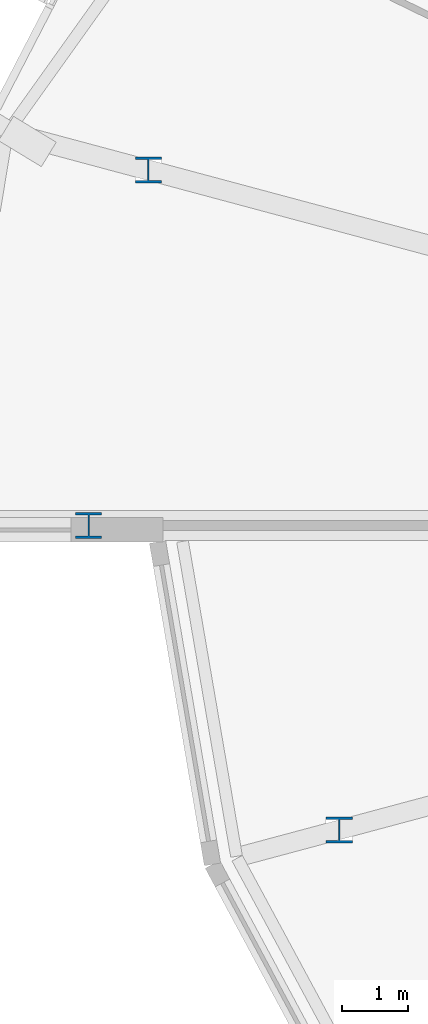
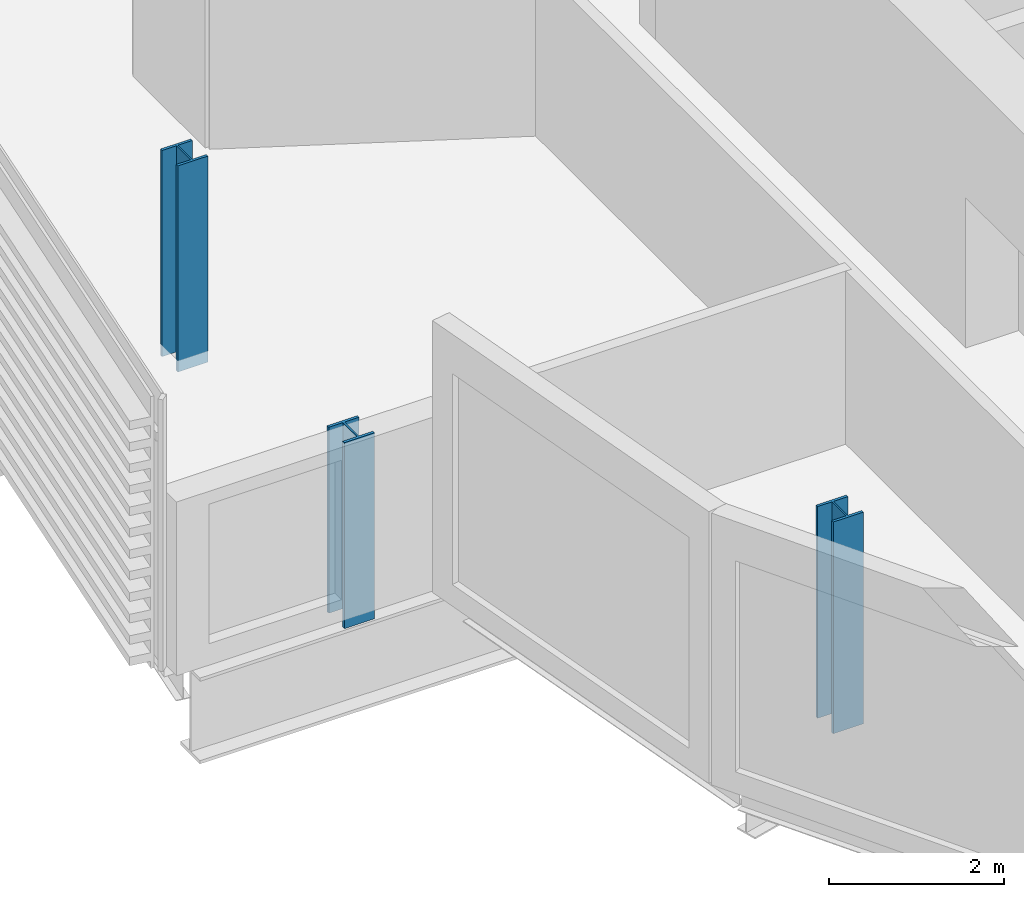
# One storey, part 1 of 39: 3 columns.
"""IFC4 building model written with IfcOpenShell, lengths in metres."""

from ifc_helpers import new_model, si_unit, direction, frame, origin, origin_2d, place, context, subcontext, project, spatial, i_section, extrude, material, material_profile, profile_set, type_object, element, save


model = new_model("IFC4")

# Units and contexts
model_context = context("Model", 3, precision=1e-05, world=origin(), true_north=direction((0.0, 1.0)))
body_context = subcontext(model_context, "Body", "Model", "MODEL_VIEW")
ifc_project = project(units=[si_unit("LENGTHUNIT", "METRE"), si_unit("AREAUNIT", "SQUARE_METRE"), si_unit("VOLUMEUNIT", "CUBIC_METRE"), si_unit("PLANEANGLEUNIT", "RADIAN"), si_unit("MASSUNIT", "GRAM", prefix="KILO")], contexts=[model_context])

# Site, building, storey
site_placement = place(None, origin())
site = spatial("IfcSite", under=ifc_project, at=site_placement, CompositionType="ELEMENT")
building_placement = place(site_placement, origin())
building = spatial("IfcBuilding", under=site, at=building_placement, Name="Rimbun Link Towers", CompositionType="ELEMENT")
storey_placement = place(building_placement, frame((0.0, 0.0, 96.800048828125)))
storey = spatial("IfcBuildingStorey", under=building, at=storey_placement, Name="L23", CompositionType="ELEMENT", Elevation=96.800048828125)

# Columns
ifc_material = material(Name="Steel S355J2", Category="steel")
ifc_material_profile = material_profile(ifc_material, i_section(OverallWidth=0.39892578125, OverallDepth=0.3935546875, WebThickness=0.022705078125, FlangeThickness=0.03662109375, at=origin_2d()), Name="UC 356x406x287")
ifc_profile_set = profile_set([ifc_material_profile], Name="Steel S355J2")
column_type = type_object("IfcColumnType", Name="UC 356x406x287", PredefinedType="COLUMN", material=ifc_profile_set)
column_1_placement = place(storey_placement, frame((-51.86572265625, 5.389892578125, -0.16015625), z_axis=(0.0, 0.0, 1.0), x_axis=(1.0, 0.0, 0.0)))
element("IfcColumn", 1, at=column_1_placement, inside=storey, type_object=column_type, Name="Crease post T1 L23 11", PredefinedType="COLUMN", context=body_context, shape_type="SweptSolid", body=[
    extrude(i_section(OverallWidth=0.39892578125, OverallDepth=0.3935546875, WebThickness=0.022705078125, FlangeThickness=0.03662109375, at=origin_2d()), origin(), (0.0, 0.0, 1.0), 2.881591796875),
])
column_2_placement = place(storey_placement, frame((-52.77490234375, 0.0, -0.16015625), z_axis=(0.0, 0.0, 1.0), x_axis=(1.0, 0.0, 0.0)))
element("IfcColumn", 2, at=column_2_placement, inside=storey, type_object=column_type, Name="Crease post T1 L23 12", PredefinedType="COLUMN", context=body_context, shape_type="SweptSolid", body=[
    extrude(i_section(OverallWidth=0.39892578125, OverallDepth=0.3935546875, WebThickness=0.022705078125, FlangeThickness=0.03662109375, at=origin_2d()), origin(), (0.0, 0.0, 1.0), 2.60009765625),
])
column_3_placement = place(storey_placement, frame((-48.974853515625, -4.615478515625, -0.16015625), z_axis=(0.0, 0.0, 1.0), x_axis=(1.0, 0.0, 0.0)))
element("IfcColumn", 3, at=column_3_placement, inside=storey, type_object=column_type, Name="Crease post T1 L23 13", PredefinedType="COLUMN", context=body_context, shape_type="SweptSolid", body=[
    extrude(i_section(OverallWidth=0.39892578125, OverallDepth=0.3935546875, WebThickness=0.022705078125, FlangeThickness=0.03662109375, at=origin_2d()), origin(), (0.0, 0.0, 1.0), 2.95947265625),
])

save(model, "model.ifc")
